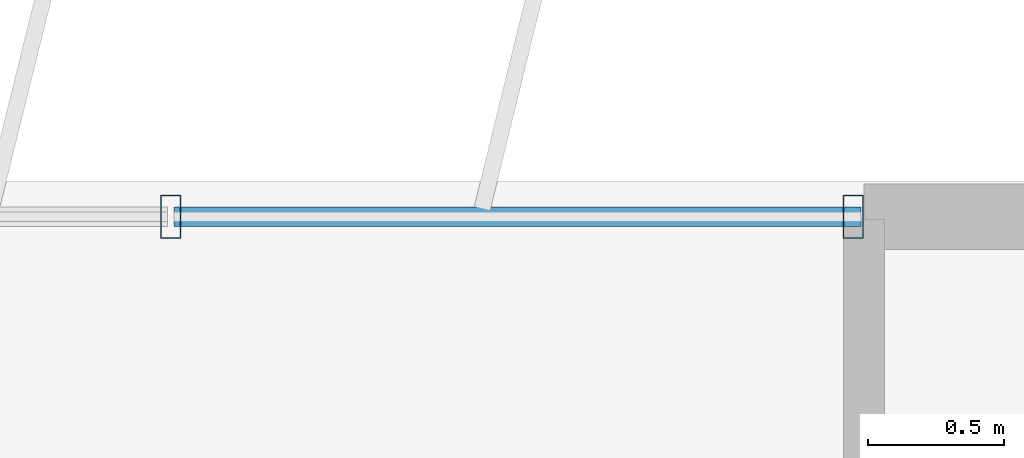
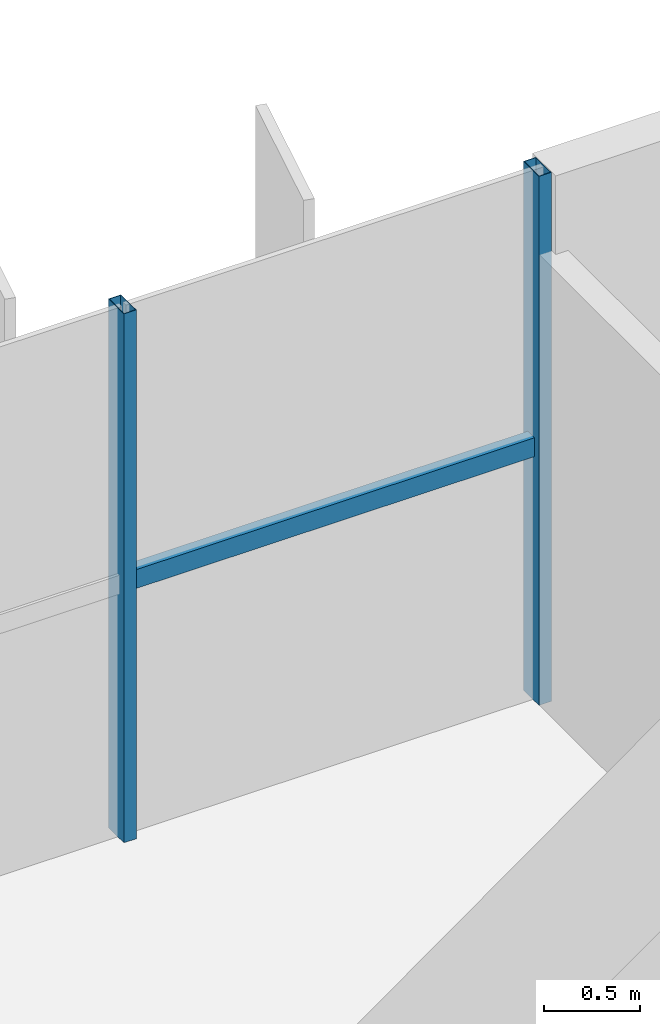
# One storey, part 14 of 22: 3 members, 1 element without a shape of its own.
"""IFC4 building model written with IfcOpenShell, lengths in metres."""

from ifc_helpers import new_model, si_unit, direction, frame, origin, origin_2d, place, context, subcontext, project, spatial, hollow_rectangle, extrude, source, transform, mapped, material, material_profile, profile_set, type_object, element, aggregate, save


model = new_model("IFC4")

# Units and contexts
model_context = context("Model", 3, precision=1e-05, world=origin(), true_north=direction((0.0, 1.0)))
body_context = subcontext(model_context, "Body", "Model", "MODEL_VIEW")
ifc_project = project(units=[si_unit("LENGTHUNIT", "METRE"), si_unit("AREAUNIT", "SQUARE_METRE"), si_unit("VOLUMEUNIT", "CUBIC_METRE"), si_unit("PLANEANGLEUNIT", "RADIAN"), si_unit("MASSUNIT", "GRAM", prefix="KILO")], contexts=[model_context])

# Site, building, storey
site_placement = place(None, origin())
site = spatial("IfcSite", under=ifc_project, at=site_placement, CompositionType="ELEMENT")
building_placement = place(site_placement, origin())
building = spatial("IfcBuilding", under=site, at=building_placement, Name="Trelvane Seafront Commons", CompositionType="ELEMENT")
storey_placement = place(building_placement, frame((0.0, 0.0, 270.300048828125)))
storey = spatial("IfcBuildingStorey", under=building, at=storey_placement, Name="L70", CompositionType="ELEMENT", Elevation=270.300048828125)

# Curtain wall, members
ifc_material = material(Name="Anodised pale-silver aluminium", Category="aluminium")
curtain_wall_type = type_object("IfcCurtainWallType", Name="ARCH-CW5-UPTOWER", PredefinedType="NOTDEFINED", material=ifc_material)
curtain_wall_placement = place(storey_placement, origin())
curtain_wall = element("IfcCurtainWall", 1, at=curtain_wall_placement, inside=storey, type_object=curtain_wall_type, Name="CW-L70-0114", PredefinedType="NOTDEFINED")
ifc_material_profile_1 = material_profile(ifc_material, hollow_rectangle(XDim=0.070068359375, YDim=0.1201171875, WallThickness=0.00390625, at=origin_2d()), Name="TRAN-70x120x4")
ifc_profile_set_1 = profile_set([ifc_material_profile_1], Name="Anodised pale-silver aluminium")
member_type_1 = type_object("IfcMemberType", Name="ARCH-CW-TRAN-120", PredefinedType="USERDEFINED", material=ifc_profile_set_1)
shared_shape_1 = source(origin(), body_context, "Body", "SweptSolid", [
    extrude(hollow_rectangle(XDim=0.070068359375, YDim=0.1201171875, WallThickness=0.00390625, at=origin_2d()), origin(), (0.0, 0.0, 1.0), 2.517333984375),
])
member_1_placement = place(storey_placement, frame((56.270751953125, 48.3701171875, 1.617919921875), z_axis=(1.0, 0.0, 0.0), x_axis=(0.0, 1.0, 0.0)))
member_1 = element("IfcMember", 2, at=member_1_placement, type_object=member_type_1, Name="CW-L70-0114-T16", ObjectType="TRANSOM", PredefinedType="USERDEFINED", context=body_context, shape_type="MappedRepresentation", body=[
    mapped(shared_shape_1, transform((0.0, 0.0, 0.0), x_axis=(1.0, 0.0, 0.0), y_axis=(0.0, 1.0, 0.0), z_axis=(0.0, 0.0, 1.0), scale=1.0)),
])
ifc_material_profile_2 = material_profile(ifc_material, hollow_rectangle(XDim=0.074951171875, YDim=0.159912109375, WallThickness=0.00390625, at=origin_2d()), Name="MULL-75x160x4")
ifc_profile_set_2 = profile_set([ifc_material_profile_2], Name="Anodised pale-silver aluminium")
member_type_2 = type_object("IfcMemberType", Name="ARCH-CW-MULL-160", PredefinedType="MULLION", material=ifc_profile_set_2)
shared_shape_2 = source(origin(), body_context, "Body", "SweptSolid", [
    extrude(hollow_rectangle(XDim=0.074951171875, YDim=0.159912109375, WallThickness=0.00390625, at=origin_2d()), origin(), (0.0, 0.0, 1.0), 3.369873046875),
])
member_2_placement = place(storey_placement, frame((56.2587890625, 48.3701171875, 0.0), z_axis=(0.0, 0.0, 1.0), x_axis=(1.0, 0.0, 0.0)))
member_2 = element("IfcMember", 3, at=member_2_placement, type_object=member_type_2, Name="CW-L70-0114-M16", PredefinedType="MULLION", context=body_context, shape_type="MappedRepresentation", body=[
    mapped(shared_shape_2, transform((0.0, 0.0, 0.0), x_axis=(1.0, 0.0, 0.0), y_axis=(0.0, 1.0, 0.0), z_axis=(0.0, 0.0, 1.0), scale=1.0)),
])
member_3_placement = place(storey_placement, frame((58.760009765625, 48.3701171875, 0.0), z_axis=(0.0, 0.0, 1.0), x_axis=(1.0, 0.0, 0.0)))
member_3 = element("IfcMember", 4, at=member_3_placement, type_object=member_type_2, Name="CW-L70-0114-M17", PredefinedType="MULLION", context=body_context, shape_type="MappedRepresentation", body=[
    mapped(shared_shape_2, transform((0.0, 0.0, 0.0), x_axis=(1.0, 0.0, 0.0), y_axis=(0.0, 1.0, 0.0), z_axis=(0.0, 0.0, 1.0), scale=1.0)),
])
aggregate(curtain_wall, [member_2, member_3, member_1])

save(model, "model.ifc")
